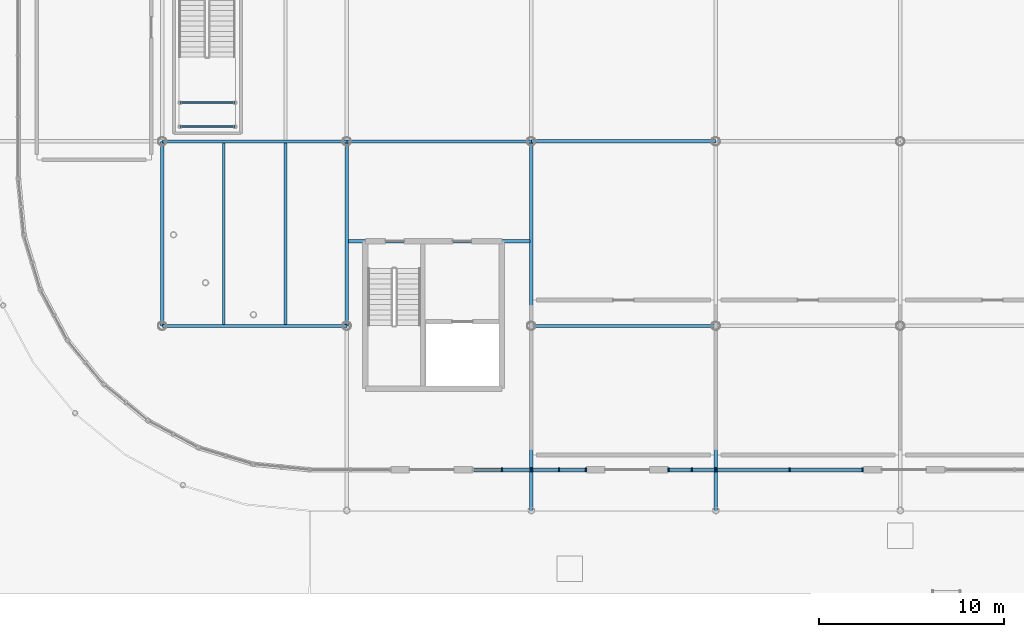
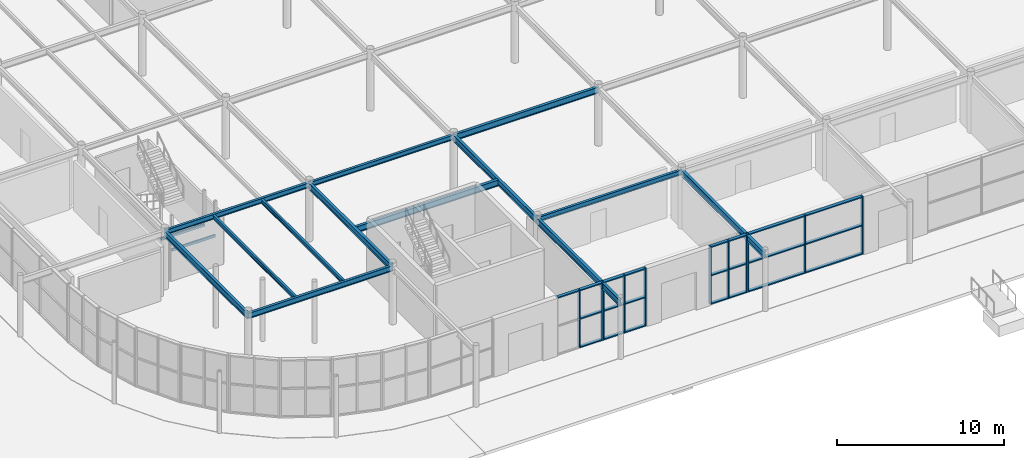
# One storey, part 53 of 119: 33 members, 15 beams, 4 elements without a shape of their own.
"""IFC4 building model written with IfcOpenShell, lengths in metres."""

import ifcopenshell
import ifcopenshell.guid

model = None  # the IFC model being written
_history = None  # IfcOwnerHistory: only IFC2X3 demands one
_inside = {}  # id of a spatial element -> (the spatial element, [elements in it])
_under = {}  # id of a project, library or spatial element -> (it, [spatial elements below it])
_declared = {}  # id of a project -> (the project, [libraries it declares])
_typed = {}  # id of a type object -> (the type object, [elements of that type])
_made_of = {}  # id of a material, layer set ... -> (it, [elements and type objects made of it])


def new_model(schema):
    """Start an empty IFC model of exactly this schema.

    Asked for "IFC4X3", IfcOpenShell would pick the latest addendum, in which some entities
    have other attributes; the version numbers below select the first issue.
    IFC2X3 requires an IfcOwnerHistory on every rooted entity: one is made here for all.
    """
    global model, _history
    if schema == "IFC4X3":
        model = ifcopenshell.file(schema_version=(4, 3, 0, 0))
    else:
        model = ifcopenshell.file(schema=schema)
    _inside.clear()
    _under.clear()
    _declared.clear()
    _typed.clear()
    _made_of.clear()
    _history = None
    if model.schema == "IFC2X3":
        org = make("IfcOrganization", Name="unknown")
        user = make(
            "IfcPersonAndOrganization",
            ThePerson=make("IfcPerson", FamilyName="unknown"),
            TheOrganization=org,
        )
        app = make(
            "IfcApplication",
            ApplicationDeveloper=org,
            Version="unknown",
            ApplicationFullName="unknown",
            ApplicationIdentifier="unknown",
        )
        _history = make(
            "IfcOwnerHistory",
            OwningUser=user,
            OwningApplication=app,
            ChangeAction="ADDED",
            CreationDate=0,
        )
    return model


def make(cls, **values):
    """One entity of the class cls with the attributes given. An attribute that is None is left unset."""
    return model.create_entity(
        cls, **{name: value for name, value in values.items() if value is not None}
    )


def rooted(cls, **values):
    """An entity with a GlobalId (a new one), such as an element, a storey or a relation."""
    return make(cls, GlobalId=ifcopenshell.guid.new(), OwnerHistory=_history, **values)


def si_unit(unit_type, name, prefix=None):
    """IfcSIUnit, for example si_unit("LENGTHUNIT", "METRE", prefix="MILLI")."""
    return make("IfcSIUnit", UnitType=unit_type, Prefix=prefix, Name=name)


def derived_unit(unit_type, elements):
    """IfcDerivedUnit: a product of units, each with its exponent."""
    return make(
        "IfcDerivedUnit",
        Elements=[
            make("IfcDerivedUnitElement", Unit=unit, Exponent=power)
            for unit, power in elements
        ],
        UnitType=unit_type,
    )


def assignment(units):
    """IfcUnitAssignment: the units of a project."""
    return None if units is None else make("IfcUnitAssignment", Units=units)


def point(xyz):
    """IfcCartesianPoint."""
    return None if xyz is None else make("IfcCartesianPoint", Coordinates=xyz)


def direction(xyz):
    """IfcDirection."""
    return None if xyz is None else make("IfcDirection", DirectionRatios=xyz)


def frame(location, z_axis=None, x_axis=None):
    """IfcAxis2Placement3D, a coordinate frame: its origin and axes. An axis left out is left unset."""
    return make(
        "IfcAxis2Placement3D",
        Location=point(location),
        Axis=direction(z_axis),
        RefDirection=direction(x_axis),
    )


def frame_2d(location, x_axis=None):
    """IfcAxis2Placement2D, a coordinate frame in the plane: its origin and x axis."""
    return make(
        "IfcAxis2Placement2D", Location=point(location), RefDirection=direction(x_axis)
    )


def origin():
    """The frame at (0, 0, 0) with its axes left unset."""
    return frame((0.0, 0.0, 0.0))


def origin_2d_with_axis():
    """The frame at (0, 0) in the plane with the x axis (1, 0) written out."""
    return frame_2d((0.0, 0.0), x_axis=(1.0, 0.0))


def place(relative_to, where):
    """IfcLocalPlacement: puts the frame where relative to a parent placement (None: the world)."""
    return make(
        "IfcLocalPlacement", PlacementRelTo=relative_to, RelativePlacement=where
    )


def context(
    kind, dimensions, precision=None, world=None, true_north=None, identifier=None
):
    """IfcGeometricRepresentationContext, for example the 3D "Model" context."""
    return make(
        "IfcGeometricRepresentationContext",
        ContextIdentifier=identifier,
        ContextType=kind,
        CoordinateSpaceDimension=dimensions,
        Precision=precision,
        WorldCoordinateSystem=world,
        TrueNorth=true_north,
    )


def subcontext(parent, identifier, kind, view, scale=None):
    """IfcGeometricRepresentationSubContext, for example "Body" below "Model"."""
    return make(
        "IfcGeometricRepresentationSubContext",
        ContextIdentifier=identifier,
        ContextType=kind,
        ParentContext=parent,
        TargetScale=scale,
        TargetView=view,
    )


def project(units=None, contexts=None):
    """IfcProject with its units and contexts."""
    return rooted(
        "IfcProject",
        Name="project",
        RepresentationContexts=contexts,
        UnitsInContext=assignment(units),
    )


def spatial(cls, under=None, at=None, **own):
    """A site, building, storey or space (cls), placed at a placement, below another one or the project."""
    s = rooted(cls, ObjectPlacement=at, **own)
    if under is not None:
        _under.setdefault(under.id(), (under, []))[1].append(s)
    return s


def profile(cls, at=None, kind="AREA", **sizes):
    """A parametric profile (cls). Its sizes go by their IFC names, for example OverallWidth=200.0."""
    return make(cls, ProfileType=kind, Position=at, **sizes)


def rectangle(**sizes):
    """IfcRectangleProfileDef."""
    return profile("IfcRectangleProfileDef", **sizes)


def hollow_rectangle(**sizes):
    """IfcRectangleHollowProfileDef."""
    return profile("IfcRectangleHollowProfileDef", **sizes)


def i_section(**sizes):
    """IfcIShapeProfileDef."""
    return profile("IfcIShapeProfileDef", **sizes)


def extrude(swept, where, along, depth):
    """IfcExtrudedAreaSolid: the profile swept, set in the frame where, extruded along a direction by depth."""
    return make(
        "IfcExtrudedAreaSolid",
        SweptArea=swept,
        Position=where,
        ExtrudedDirection=direction(along),
        Depth=depth,
    )


def shape(context_of_items, identifier, shape_type, items):
    """IfcShapeRepresentation: the items that make up one representation, for example the "Body"."""
    return make(
        "IfcShapeRepresentation",
        ContextOfItems=context_of_items,
        RepresentationIdentifier=identifier,
        RepresentationType=shape_type,
        Items=items,
    )


def material(Name=None, Category=None):
    """IfcMaterial."""
    return make("IfcMaterial", Name=Name, Category=Category)


def material_profile(
    of_material, cross_section, Name=None, Category=None, Priority=None
):
    """IfcMaterialProfile: a cross section and its material."""
    return make(
        "IfcMaterialProfile",
        Name=Name,
        Material=of_material,
        Profile=cross_section,
        Priority=Priority,
        Category=Category,
    )


def profile_set(profiles, Name=None, composite=None):
    """IfcMaterialProfileSet."""
    return make(
        "IfcMaterialProfileSet",
        Name=Name,
        MaterialProfiles=profiles,
        CompositeProfile=composite,
    )


def made_of(thing, what):
    """Note that an element or type object is made of a material, layer set ...; save() writes the relation."""
    if what is not None:
        _made_of.setdefault(what.id(), (what, []))[1].append(thing)
    return thing


def type_object(cls, material=None, **own):
    """A type object (cls), such as IfcWallType, which elements share."""
    return made_of(rooted(cls, **own), material)


def element(
    cls,
    number,
    at=None,
    inside=None,
    cuts=None,
    type_object=None,
    material=None,
    context=None,
    identifier="Body",
    shape_type=None,
    held_by="IfcProductDefinitionShape",
    body=None,
    shapes=None,
    **own,
):
    """One element of the class cls, such as IfcWall. Its Tag is "e" and its number.

    at: its placement. inside: the storey or other place that contains it. cuts: it is an
    opening in that element (IfcRelVoidsElement). A single representation is given by context,
    identifier, shape_type and body (its items); several are given by shapes. held_by: the class
    of the entity that holds the representations. save() writes the other relations.
    """
    e = rooted(cls, Tag="e%d" % number, ObjectPlacement=at, **own)
    if body is not None:
        shapes = [shape(context, identifier, shape_type, body)]
    if shapes is not None:
        e.Representation = make(held_by, Representations=shapes)
    if inside is not None:
        _inside.setdefault(inside.id(), (inside, []))[1].append(e)
    if cuts is not None:
        rooted(
            "IfcRelVoidsElement", RelatingBuildingElement=cuts, RelatedOpeningElement=e
        )
    if type_object is not None:
        _typed.setdefault(type_object.id(), (type_object, []))[1].append(e)
    return made_of(e, material)


def aggregate(whole, parts):
    """IfcRelAggregates: a whole, such as a stair, and the parts it consists of."""
    return rooted("IfcRelAggregates", RelatingObject=whole, RelatedObjects=parts)


def save(model, path):
    """Write the relations noted so far, then the file.

    IfcRelAggregates (storeys below a building ...), IfcRelContainedInSpatialStructure (elements
    in a storey), IfcRelDefinesByType, IfcRelAssociatesMaterial and IfcRelDeclares: one each for
    every whole, place, type object, material and project.
    """
    for whole, parts in _under.values():
        aggregate(whole, parts)
    for where, things in _inside.values():
        rooted(
            "IfcRelContainedInSpatialStructure",
            RelatedElements=things,
            RelatingStructure=where,
        )
    for kind, things in _typed.values():
        rooted("IfcRelDefinesByType", RelatedObjects=things, RelatingType=kind)
    for what, things in _made_of.values():
        rooted("IfcRelAssociatesMaterial", RelatedObjects=things, RelatingMaterial=what)
    for by, libraries in _declared.values():
        rooted("IfcRelDeclares", RelatingContext=by, RelatedDefinitions=libraries)
    model.write(path)


model = new_model("IFC4")

# Units and contexts
model_context = context("Model", 3, precision=1e-05, world=origin(), true_north=direction((0.0, 1.0)))
body_context = subcontext(model_context, "Body", "Model", "MODEL_VIEW")
ifc_project = project(units=[si_unit("LENGTHUNIT", "METRE"), si_unit("AREAUNIT", "SQUARE_METRE"), si_unit("VOLUMEUNIT", "CUBIC_METRE"), si_unit("PLANEANGLEUNIT", "RADIAN"), si_unit("MASSUNIT", "GRAM", prefix="KILO"), derived_unit("THERMALTRANSMITTANCEUNIT", [(si_unit("POWERUNIT", "WATT"), 1), (si_unit("LENGTHUNIT", "METRE"), -2), (si_unit("THERMODYNAMICTEMPERATUREUNIT", "KELVIN"), -1)])], contexts=[model_context])

# Site, building, storey
site_placement = place(None, origin())
site = spatial("IfcSite", under=ifc_project, at=site_placement, CompositionType="ELEMENT")
building_placement = place(site_placement, origin())
building = spatial("IfcBuilding", under=site, at=building_placement, Name="Cinnabar Yard Market Hall", CompositionType="ELEMENT")
storey_placement = place(building_placement, origin())
storey = spatial("IfcBuildingStorey", under=building, at=storey_placement, Name="L00", CompositionType="ELEMENT", Elevation=0.0)

# Beams
ifc_material_1 = material(Name="Steel Grade 300 (300 MPa)", Category="steel")
ifc_material_profile_1 = material_profile(ifc_material_1, i_section(OverallWidth=0.18994140625, OverallDepth=0.453857421875, WebThickness=0.008544921875, FlangeThickness=0.0126953125, FilletRadius=0.011474609375, at=origin_2d_with_axis()), Name="460UB67.1")
ifc_profile_set_1 = profile_set([ifc_material_profile_1], Name="Steel Grade 300 (300 MPa)")
beam_type_1 = type_object("IfcBeamType", Name="BM-B05", PredefinedType="BEAM", material=ifc_profile_set_1)
beam_1_placement = place(storey_placement, frame((86.080078125, 28.60009765625, 4.01318359375), z_axis=(1.0, 0.0, 0.0), x_axis=(0.0, 1.0, 0.0)))
element("IfcBeam", 1, at=beam_1_placement, inside=storey, type_object=beam_type_1, Name="L00 Core Trimmer Girder 00135", PredefinedType="BEAM", context=body_context, shape_type="SweptSolid", body=[
    extrude(i_section(OverallWidth=0.18994140625, OverallDepth=0.453857421875, WebThickness=0.008544921875, FlangeThickness=0.0126953125, FilletRadius=0.011474609375, at=origin_2d_with_axis()), origin(), (0.0, 0.0, 1.0), 9.83984375),
])
for number, where, z_axis, x_axis, name in (
    (2, (76.0, 24.0, 4.01318359375), (0.0, 1.0, 0.0), (-1.0, 0.0, 0.0), "L00 Gallery Girder Y 00202"),
    (3, (86.0, 24.0, 4.01318359375), (0.0, 1.0, 0.0), (-1.0, 0.0, 0.0), "L00 Gallery Girder Y 00213"),
    (4, (96.0, 24.0, 4.01318359375), (0.0, 1.0, 0.0), (-1.0, 0.0, 0.0), "L00 Gallery Girder Y 00217"),
):
    element("IfcBeam", number, at=place(storey_placement, frame(where, z_axis=z_axis, x_axis=x_axis)), inside=storey, type_object=beam_type_1, Name=name, PredefinedType="BEAM", context=body_context, shape_type="SweptSolid", body=[
        extrude(i_section(OverallWidth=0.18994140625, OverallDepth=0.453857421875, WebThickness=0.008544921875, FlangeThickness=0.0126953125, FilletRadius=0.011474609375, at=origin_2d_with_axis()), origin(), (0.0, 0.0, 1.0), 10.0),
    ])
ifc_material_profile_2 = material_profile(ifc_material_1, i_section(OverallWidth=0.18994140625, OverallDepth=0.453857421875, WebThickness=0.008544921875, FlangeThickness=0.0126953125, FilletRadius=0.011474609375, at=origin_2d_with_axis()), Name="460UB67.1")
ifc_profile_set_2 = profile_set([ifc_material_profile_2], Name="Steel Grade 300 (300 MPa)")
beam_type_2 = type_object("IfcBeamType", Name="BM-B05E", PredefinedType="BEAM", material=ifc_profile_set_2)
for number, where, z_axis, x_axis, name in (
    (5, (96.0, 24.0, 4.01318359375), (0.0, -1.0, 0.0), (1.0, 0.0, 0.0), "L00 Gallery South Tie 00184"),
    (6, (106.0, 24.0, 4.01318359375), (0.0, -1.0, 0.0), (1.0, 0.0, 0.0), "L00 Gallery South Tie 00186"),
):
    element("IfcBeam", number, at=place(storey_placement, frame(where, z_axis=z_axis, x_axis=x_axis)), inside=storey, type_object=beam_type_2, Name=name, PredefinedType="BEAM", context=body_context, shape_type="SweptSolid", body=[
        extrude(i_section(OverallWidth=0.18994140625, OverallDepth=0.453857421875, WebThickness=0.008544921875, FlangeThickness=0.0126953125, FilletRadius=0.011474609375, at=origin_2d_with_axis()), origin(), (0.0, 0.0, 1.0), 10.0),
    ])
ifc_material_profile_3 = material_profile(ifc_material_1, i_section(OverallWidth=0.177978515625, OverallDepth=0.402587890625, WebThickness=0.007568359375, FlangeThickness=0.010986328125, FilletRadius=0.011474609375, at=origin_2d_with_axis()), Name="410UB53.7")
ifc_profile_set_3 = profile_set([ifc_material_profile_3], Name="Steel Grade 300 (300 MPa)")
beam_type_3 = type_object("IfcBeamType", Name="BM-B09", PredefinedType="BEAM", material=ifc_profile_set_3)
beam_2_placement = place(storey_placement, frame((76.0, 24.0, 4.038818359375), z_axis=(1.0, 0.0, 0.0), x_axis=(0.0, 1.0, 0.0)))
element("IfcBeam", 7, at=beam_2_placement, inside=storey, type_object=beam_type_3, Name="L00 Gallery Girder X 00146", PredefinedType="BEAM", context=body_context, shape_type="SweptSolid", body=[
    extrude(i_section(OverallWidth=0.177978515625, OverallDepth=0.402587890625, WebThickness=0.007568359375, FlangeThickness=0.010986328125, FilletRadius=0.011474609375, at=origin_2d_with_axis()), origin(), (0.0, 0.0, 1.0), 10.0),
])
ifc_material_profile_4 = material_profile(ifc_material_1, i_section(OverallWidth=0.1708984375, OverallDepth=0.355712890625, WebThickness=0.00732421875, FlangeThickness=0.011474609375, FilletRadius=0.011474609375, at=origin_2d_with_axis()), Name="360UB50.7")
ifc_profile_set_4 = profile_set([ifc_material_profile_4], Name="Steel Grade 300 (300 MPa)")
beam_type_4 = type_object("IfcBeamType", Name="BM-B10", PredefinedType="BEAM", material=ifc_profile_set_4)
beam_3_placement = place(storey_placement, frame((76.0, 34.0, 4.062255859375), z_axis=(1.0, 0.0, 0.0), x_axis=(0.0, 1.0, 0.0)))
element("IfcBeam", 8, at=beam_3_placement, inside=storey, type_object=beam_type_4, Name="L00 Gallery Girder X 00147", PredefinedType="BEAM", context=body_context, shape_type="SweptSolid", body=[
    extrude(i_section(OverallWidth=0.1708984375, OverallDepth=0.355712890625, WebThickness=0.00732421875, FlangeThickness=0.011474609375, FilletRadius=0.011474609375, at=origin_2d_with_axis()), origin(), (0.0, 0.0, 1.0), 10.0),
])
ifc_material_profile_5 = material_profile(ifc_material_1, i_section(OverallWidth=0.1708984375, OverallDepth=0.35205078125, WebThickness=0.0068359375, FlangeThickness=0.009765625, FilletRadius=0.011474609375, at=origin_2d_with_axis()), Name="360UB44.7")
ifc_profile_set_5 = profile_set([ifc_material_profile_5], Name="Steel Grade 300 (300 MPa)")
beam_type_5 = type_object("IfcBeamType", Name="BM-B11", PredefinedType="BEAM", material=ifc_profile_set_5)
for number, where, z_axis, x_axis, name in (
    (9, (86.0, 34.0, 4.06396484375), (1.0, 0.0, 0.0), (0.0, 1.0, 0.0), "L00 Gallery Girder X 00151"),
    (10, (96.0, 24.0, 4.06396484375), (1.0, 0.0, 0.0), (0.0, 1.0, 0.0), "L00 Gallery Girder X 00154"),
):
    element("IfcBeam", number, at=place(storey_placement, frame(where, z_axis=z_axis, x_axis=x_axis)), inside=storey, type_object=beam_type_5, Name=name, PredefinedType="BEAM", context=body_context, shape_type="SweptSolid", body=[
        extrude(i_section(OverallWidth=0.1708984375, OverallDepth=0.35205078125, WebThickness=0.0068359375, FlangeThickness=0.009765625, FilletRadius=0.011474609375, at=origin_2d_with_axis()), origin(), (0.0, 0.0, 1.0), 10.0),
    ])
ifc_material_profile_6 = material_profile(ifc_material_1, i_section(OverallWidth=0.18994140625, OverallDepth=0.453857421875, WebThickness=0.008544921875, FlangeThickness=0.0126953125, FilletRadius=0.011474609375, at=origin_2d_with_axis()), Name="460UB67.1")
ifc_profile_set_6 = profile_set([ifc_material_profile_6], Name="Steel Grade 300 (300 MPa)")
beam_type_6 = type_object("IfcBeamType", Name="BM-B14", PredefinedType="BEAM", material=ifc_profile_set_6)
beam_4_placement = place(storey_placement, frame((96.0, 34.0, 4.01318359375), z_axis=(1.0, 0.0, 0.0), x_axis=(0.0, 1.0, 0.0)))
element("IfcBeam", 11, at=beam_4_placement, inside=storey, type_object=beam_type_6, Name="L00 Gallery Girder X 00155", PredefinedType="BEAM", context=body_context, shape_type="SweptSolid", body=[
    extrude(i_section(OverallWidth=0.18994140625, OverallDepth=0.453857421875, WebThickness=0.008544921875, FlangeThickness=0.0126953125, FilletRadius=0.011474609375, at=origin_2d_with_axis()), origin(), (0.0, 0.0, 1.0), 10.0),
])
ifc_material_profile_7 = material_profile(ifc_material_1, i_section(OverallWidth=0.14892578125, OverallDepth=0.298095703125, WebThickness=0.005615234375, FlangeThickness=0.008056640625, FilletRadius=0.0087890625, at=origin_2d_with_axis()), Name="310UB32.0")
ifc_profile_set_7 = profile_set([ifc_material_profile_7], Name="Steel Grade 300 (300 MPa)")
beam_type_7 = type_object("IfcBeamType", Name="BM-J02", PredefinedType="JOIST", material=ifc_profile_set_7)
for number, where, z_axis, x_axis, name in (
    (12, (79.330078125, 24.074951171875, 4.091064453125), (0.0, 1.0, 0.0), (-1.0, 0.0, 0.0), "L00 Gallery Joist 00203"),
    (13, (82.669921875, 24.074951171875, 4.091064453125), (0.0, 1.0, 0.0), (-1.0, 0.0, 0.0), "L00 Gallery Joist 00204"),
):
    element("IfcBeam", number, at=place(storey_placement, frame(where, z_axis=z_axis, x_axis=x_axis)), inside=storey, type_object=beam_type_7, Name=name, PredefinedType="JOIST", context=body_context, shape_type="SweptSolid", body=[
        extrude(i_section(OverallWidth=0.14892578125, OverallDepth=0.298095703125, WebThickness=0.005615234375, FlangeThickness=0.008056640625, FilletRadius=0.0087890625, at=origin_2d_with_axis()), origin(), (0.0, 0.0, 1.0), 9.85009765625),
    ])
ifc_material_2 = material(Name="Cold-formed steel C350L0", Category="steel")
ifc_material_profile_8 = material_profile(ifc_material_2, hollow_rectangle(XDim=0.10009765625, YDim=0.199951171875, WallThickness=0.006103515625, InnerFilletRadius=0.006103515625, OuterFilletRadius=0.011962890625, at=origin_2d_with_axis()), Name="200x100x6.0RHS")
ifc_profile_set_8 = profile_set([ifc_material_profile_8], Name="Cold-formed steel C350L0")
beam_type_8 = type_object("IfcBeamType", Name="BM-LN01", PredefinedType="LINTEL", material=ifc_profile_set_8)
for number, where, z_axis, x_axis, name in (
    (14, (76.949951171875, 34.800048828125, 1.949951171875), (1.0, 0.0, 0.0), (0.0, 1.0, 0.0), "Feature Stair Landing Beam S ST-F1 L00"),
    (15, (76.949951171875, 36.10009765625, 1.949951171875), (1.0, 0.0, 0.0), (0.0, 1.0, 0.0), "Feature Stair Landing Beam N ST-F1 L00"),
):
    element("IfcBeam", number, at=place(storey_placement, frame(where, z_axis=z_axis, x_axis=x_axis)), inside=storey, type_object=beam_type_8, Name=name, PredefinedType="LINTEL", context=body_context, shape_type="SweptSolid", body=[
        extrude(hollow_rectangle(XDim=0.10009765625, YDim=0.199951171875, WallThickness=0.006103515625, InnerFilletRadius=0.006103515625, OuterFilletRadius=0.011962890625, at=origin_2d_with_axis()), origin(), (0.0, 0.0, 1.0), 3.0),
    ])

# Curtain wall, members
ifc_material_3 = material(Name="Anodised bronze aluminium and low-E glass", Category="aluminium")
curtain_wall_type_1 = type_object("IfcCurtainWallType", Name="CW-CWH032x42", PredefinedType="NOTDEFINED", material=ifc_material_3)
curtain_wall_1_placement = place(storey_placement, origin())
curtain_wall_1 = element("IfcCurtainWall", 16, at=curtain_wall_1_placement, inside=storey, type_object=curtain_wall_type_1, Name="Market Hall South Ground Glazing B1B", PredefinedType="NOTDEFINED")
ifc_material_4 = material(Name="Anodised bronze aluminium", Category="aluminium")
ifc_material_profile_9 = material_profile(ifc_material_4, rectangle(XDim=0.219970703125, YDim=0.080078125, at=origin_2d_with_axis()), Name="MUL-CWH")
ifc_profile_set_9 = profile_set([ifc_material_profile_9], Name="Anodised bronze aluminium")
member_type_1 = type_object("IfcMemberType", Name="CWM-CWH", PredefinedType="MULLION", material=ifc_profile_set_9)
member_1_placement = place(storey_placement, frame((94.39990234375, 16.199951171875, 0.0), z_axis=(0.0, 0.0, 1.0), x_axis=(0.0, 1.0, 0.0)))
member_1 = element("IfcMember", 17, at=member_1_placement, type_object=member_type_1, Name="CWH032x42 mullion 2", PredefinedType="MULLION", context=body_context, shape_type="SweptSolid", body=[
    extrude(rectangle(XDim=0.219970703125, YDim=0.080078125, at=origin_2d_with_axis()), origin(), (0.0, 0.0, 1.0), 4.239990234375),
])
member_2_placement = place(storey_placement, frame((95.9599609375, 16.199951171875, 0.0), z_axis=(0.0, 0.0, 1.0), x_axis=(0.0, 1.0, 0.0)))
member_2 = element("IfcMember", 18, at=member_2_placement, type_object=member_type_1, Name="CWH032x42 mullion 3", PredefinedType="MULLION", context=body_context, shape_type="SweptSolid", body=[
    extrude(rectangle(XDim=0.219970703125, YDim=0.080078125, at=origin_2d_with_axis()), origin(), (0.0, 0.0, 1.0), 4.239990234375),
])

curtain_wall_type_2 = type_object("IfcCurtainWallType", Name="CW-CWH030x42", PredefinedType="NOTDEFINED", material=ifc_material_3)
curtain_wall_2_placement = place(storey_placement, origin())
curtain_wall_2 = element("IfcCurtainWall", 19, at=curtain_wall_2_placement, inside=storey, type_object=curtain_wall_type_2, Name="Market Hall South Ground Glazing B2A", PredefinedType="NOTDEFINED")
member_3_placement = place(storey_placement, frame((96.0400390625, 16.199951171875, 0.0), z_axis=(0.0, 0.0, 1.0), x_axis=(0.0, 1.0, 0.0)))
member_3 = element("IfcMember", 20, at=member_3_placement, type_object=member_type_1, Name="CWH030x42 mullion 1", PredefinedType="MULLION", context=body_context, shape_type="SweptSolid", body=[
    extrude(rectangle(XDim=0.219970703125, YDim=0.080078125, at=origin_2d_with_axis()), origin(), (0.0, 0.0, 1.0), 4.239990234375),
])
member_4_placement = place(storey_placement, frame((97.5, 16.199951171875, 0.0), z_axis=(0.0, 0.0, 1.0), x_axis=(0.0, 1.0, 0.0)))
member_4 = element("IfcMember", 21, at=member_4_placement, type_object=member_type_1, Name="CWH030x42 mullion 2", PredefinedType="MULLION", context=body_context, shape_type="SweptSolid", body=[
    extrude(rectangle(XDim=0.219970703125, YDim=0.080078125, at=origin_2d_with_axis()), origin(), (0.0, 0.0, 1.0), 4.239990234375),
])
member_5_placement = place(storey_placement, frame((98.9599609375, 16.199951171875, 0.0), z_axis=(0.0, 0.0, 1.0), x_axis=(0.0, 1.0, 0.0)))
member_5 = element("IfcMember", 22, at=member_5_placement, type_object=member_type_1, Name="CWH030x42 mullion 3", PredefinedType="MULLION", context=body_context, shape_type="SweptSolid", body=[
    extrude(rectangle(XDim=0.219970703125, YDim=0.080078125, at=origin_2d_with_axis()), origin(), (0.0, 0.0, 1.0), 4.239990234375),
])

curtain_wall_type_3 = type_object("IfcCurtainWallType", Name="CW-CWH026x42", PredefinedType="NOTDEFINED", material=ifc_material_3)
curtain_wall_3_placement = place(storey_placement, origin())
curtain_wall_3 = element("IfcCurtainWall", 23, at=curtain_wall_3_placement, inside=storey, type_object=curtain_wall_type_3, Name="Market Hall South Ground Glazing B2B", PredefinedType="NOTDEFINED")
member_6_placement = place(storey_placement, frame((103.43994140625, 16.199951171875, 0.0), z_axis=(0.0, 0.0, 1.0), x_axis=(0.0, 1.0, 0.0)))
member_6 = element("IfcMember", 24, at=member_6_placement, type_object=member_type_1, Name="CWH026x42 mullion 1", PredefinedType="MULLION", context=body_context, shape_type="SweptSolid", body=[
    extrude(rectangle(XDim=0.219970703125, YDim=0.080078125, at=origin_2d_with_axis()), origin(), (0.0, 0.0, 1.0), 4.239990234375),
])
member_7_placement = place(storey_placement, frame((104.699951171875, 16.199951171875, 0.0), z_axis=(0.0, 0.0, 1.0), x_axis=(0.0, 1.0, 0.0)))
member_7 = element("IfcMember", 25, at=member_7_placement, type_object=member_type_1, Name="CWH026x42 mullion 2", PredefinedType="MULLION", context=body_context, shape_type="SweptSolid", body=[
    extrude(rectangle(XDim=0.219970703125, YDim=0.080078125, at=origin_2d_with_axis()), origin(), (0.0, 0.0, 1.0), 4.239990234375),
])
member_8_placement = place(storey_placement, frame((105.9599609375, 16.199951171875, 0.0), z_axis=(0.0, 0.0, 1.0), x_axis=(0.0, 1.0, 0.0)))
member_8 = element("IfcMember", 26, at=member_8_placement, type_object=member_type_1, Name="CWH026x42 mullion 3", PredefinedType="MULLION", context=body_context, shape_type="SweptSolid", body=[
    extrude(rectangle(XDim=0.219970703125, YDim=0.080078125, at=origin_2d_with_axis()), origin(), (0.0, 0.0, 1.0), 4.239990234375),
])

curtain_wall_type_4 = type_object("IfcCurtainWallType", Name="CW-CWH080x42", PredefinedType="NOTDEFINED", material=ifc_material_3)
curtain_wall_4_placement = place(storey_placement, origin())
curtain_wall_4 = element("IfcCurtainWall", 27, at=curtain_wall_4_placement, inside=storey, type_object=curtain_wall_type_4, Name="Market Hall South Ground Glazing B3", PredefinedType="NOTDEFINED")
member_9_placement = place(storey_placement, frame((106.0400390625, 16.199951171875, 0.0), z_axis=(0.0, 0.0, 1.0), x_axis=(0.0, 1.0, 0.0)))
member_9 = element("IfcMember", 28, at=member_9_placement, type_object=member_type_1, Name="CWH080x42 mullion 1", PredefinedType="MULLION", context=body_context, shape_type="SweptSolid", body=[
    extrude(rectangle(XDim=0.219970703125, YDim=0.080078125, at=origin_2d_with_axis()), origin(), (0.0, 0.0, 1.0), 4.239990234375),
])
member_10_placement = place(storey_placement, frame((110.0, 16.199951171875, 0.0), z_axis=(0.0, 0.0, 1.0), x_axis=(0.0, 1.0, 0.0)))
member_10 = element("IfcMember", 29, at=member_10_placement, type_object=member_type_1, Name="CWH080x42 mullion 2", PredefinedType="MULLION", context=body_context, shape_type="SweptSolid", body=[
    extrude(rectangle(XDim=0.219970703125, YDim=0.080078125, at=origin_2d_with_axis()), origin(), (0.0, 0.0, 1.0), 4.239990234375),
])
member_11_placement = place(storey_placement, frame((113.9599609375, 16.199951171875, 0.0), z_axis=(0.0, 0.0, 1.0), x_axis=(0.0, 1.0, 0.0)))
member_11 = element("IfcMember", 30, at=member_11_placement, type_object=member_type_1, Name="CWH080x42 mullion 3", PredefinedType="MULLION", context=body_context, shape_type="SweptSolid", body=[
    extrude(rectangle(XDim=0.219970703125, YDim=0.080078125, at=origin_2d_with_axis()), origin(), (0.0, 0.0, 1.0), 4.239990234375),
])

# Member
ifc_material_profile_10 = material_profile(ifc_material_4, rectangle(XDim=0.219970703125, YDim=0.080078125, at=origin_2d_with_axis()), Name="TRN-CWH")
ifc_profile_set_10 = profile_set([ifc_material_profile_10], Name="Anodised bronze aluminium")
member_type_2 = type_object("IfcMemberType", Name="CWT-CWH", PredefinedType="USERDEFINED", material=ifc_profile_set_10)
member_12_placement = place(storey_placement, frame((92.8798828125, 16.199951171875, 4.199951171875), z_axis=(1.0, 0.0, 0.0), x_axis=(0.0, 1.0, 0.0)))
member_12 = element("IfcMember", 31, at=member_12_placement, type_object=member_type_2, Name="CWH032x42 transom 1.3", ObjectType="TRANSOM", PredefinedType="USERDEFINED", context=body_context, shape_type="SweptSolid", body=[
    extrude(rectangle(XDim=0.219970703125, YDim=0.080078125, at=origin_2d_with_axis()), origin(), (0.0, 0.0, 1.0), 1.480224609375),
])

member_13_placement = place(storey_placement, frame((94.43994140625, 16.199951171875, 0.0400390625), z_axis=(1.0, 0.0, 0.0), x_axis=(0.0, 1.0, 0.0)))
member_13 = element("IfcMember", 32, at=member_13_placement, type_object=member_type_2, Name="CWH032x42 transom 2.1", ObjectType="TRANSOM", PredefinedType="USERDEFINED", context=body_context, shape_type="SweptSolid", body=[
    extrude(rectangle(XDim=0.219970703125, YDim=0.080078125, at=origin_2d_with_axis()), origin(), (0.0, 0.0, 1.0), 1.47998046875),
])

member_14_placement = place(storey_placement, frame((94.43994140625, 16.199951171875, 2.1201171875), z_axis=(1.0, 0.0, 0.0), x_axis=(0.0, 1.0, 0.0)))
member_14 = element("IfcMember", 33, at=member_14_placement, type_object=member_type_2, Name="CWH032x42 transom 2.2", ObjectType="TRANSOM", PredefinedType="USERDEFINED", context=body_context, shape_type="SweptSolid", body=[
    extrude(rectangle(XDim=0.219970703125, YDim=0.080078125, at=origin_2d_with_axis()), origin(), (0.0, 0.0, 1.0), 1.47998046875),
])

member_15_placement = place(storey_placement, frame((94.43994140625, 16.199951171875, 4.199951171875), z_axis=(1.0, 0.0, 0.0), x_axis=(0.0, 1.0, 0.0)))
member_15 = element("IfcMember", 34, at=member_15_placement, type_object=member_type_2, Name="CWH032x42 transom 2.3", ObjectType="TRANSOM", PredefinedType="USERDEFINED", context=body_context, shape_type="SweptSolid", body=[
    extrude(rectangle(XDim=0.219970703125, YDim=0.080078125, at=origin_2d_with_axis()), origin(), (0.0, 0.0, 1.0), 1.47998046875),
])

aggregate(curtain_wall_1, [member_1, member_2, member_12, member_13, member_14, member_15])

member_16_placement = place(storey_placement, frame((96.080078125, 16.199951171875, 0.0400390625), z_axis=(1.0, 0.0, 0.0), x_axis=(0.0, 1.0, 0.0)))
member_16 = element("IfcMember", 35, at=member_16_placement, type_object=member_type_2, Name="CWH030x42 transom 1.1", ObjectType="TRANSOM", PredefinedType="USERDEFINED", context=body_context, shape_type="SweptSolid", body=[
    extrude(rectangle(XDim=0.219970703125, YDim=0.080078125, at=origin_2d_with_axis()), origin(), (0.0, 0.0, 1.0), 1.3798828125),
])

member_17_placement = place(storey_placement, frame((96.080078125, 16.199951171875, 2.1201171875), z_axis=(1.0, 0.0, 0.0), x_axis=(0.0, 1.0, 0.0)))
member_17 = element("IfcMember", 36, at=member_17_placement, type_object=member_type_2, Name="CWH030x42 transom 1.2", ObjectType="TRANSOM", PredefinedType="USERDEFINED", context=body_context, shape_type="SweptSolid", body=[
    extrude(rectangle(XDim=0.219970703125, YDim=0.080078125, at=origin_2d_with_axis()), origin(), (0.0, 0.0, 1.0), 1.3798828125),
])

member_18_placement = place(storey_placement, frame((96.080078125, 16.199951171875, 4.199951171875), z_axis=(1.0, 0.0, 0.0), x_axis=(0.0, 1.0, 0.0)))
member_18 = element("IfcMember", 37, at=member_18_placement, type_object=member_type_2, Name="CWH030x42 transom 1.3", ObjectType="TRANSOM", PredefinedType="USERDEFINED", context=body_context, shape_type="SweptSolid", body=[
    extrude(rectangle(XDim=0.219970703125, YDim=0.080078125, at=origin_2d_with_axis()), origin(), (0.0, 0.0, 1.0), 1.3798828125),
])

member_19_placement = place(storey_placement, frame((97.5400390625, 16.199951171875, 0.0400390625), z_axis=(1.0, 0.0, 0.0), x_axis=(0.0, 1.0, 0.0)))
member_19 = element("IfcMember", 38, at=member_19_placement, type_object=member_type_2, Name="CWH030x42 transom 2.1", ObjectType="TRANSOM", PredefinedType="USERDEFINED", context=body_context, shape_type="SweptSolid", body=[
    extrude(rectangle(XDim=0.219970703125, YDim=0.080078125, at=origin_2d_with_axis()), origin(), (0.0, 0.0, 1.0), 1.3798828125),
])

member_20_placement = place(storey_placement, frame((97.5400390625, 16.199951171875, 2.1201171875), z_axis=(1.0, 0.0, 0.0), x_axis=(0.0, 1.0, 0.0)))
member_20 = element("IfcMember", 39, at=member_20_placement, type_object=member_type_2, Name="CWH030x42 transom 2.2", ObjectType="TRANSOM", PredefinedType="USERDEFINED", context=body_context, shape_type="SweptSolid", body=[
    extrude(rectangle(XDim=0.219970703125, YDim=0.080078125, at=origin_2d_with_axis()), origin(), (0.0, 0.0, 1.0), 1.3798828125),
])

member_21_placement = place(storey_placement, frame((97.5400390625, 16.199951171875, 4.199951171875), z_axis=(1.0, 0.0, 0.0), x_axis=(0.0, 1.0, 0.0)))
member_21 = element("IfcMember", 40, at=member_21_placement, type_object=member_type_2, Name="CWH030x42 transom 2.3", ObjectType="TRANSOM", PredefinedType="USERDEFINED", context=body_context, shape_type="SweptSolid", body=[
    extrude(rectangle(XDim=0.219970703125, YDim=0.080078125, at=origin_2d_with_axis()), origin(), (0.0, 0.0, 1.0), 1.3798828125),
])

aggregate(curtain_wall_2, [member_3, member_4, member_5, member_16, member_17, member_18, member_19, member_20, member_21])

member_22_placement = place(storey_placement, frame((103.47998046875, 16.199951171875, 0.0400390625), z_axis=(1.0, 0.0, 0.0), x_axis=(0.0, 1.0, 0.0)))
member_22 = element("IfcMember", 41, at=member_22_placement, type_object=member_type_2, Name="CWH026x42 transom 1.1", ObjectType="TRANSOM", PredefinedType="USERDEFINED", context=body_context, shape_type="SweptSolid", body=[
    extrude(rectangle(XDim=0.219970703125, YDim=0.080078125, at=origin_2d_with_axis()), origin(), (0.0, 0.0, 1.0), 1.179931640625),
])

member_23_placement = place(storey_placement, frame((103.47998046875, 16.199951171875, 2.1201171875), z_axis=(1.0, 0.0, 0.0), x_axis=(0.0, 1.0, 0.0)))
member_23 = element("IfcMember", 42, at=member_23_placement, type_object=member_type_2, Name="CWH026x42 transom 1.2", ObjectType="TRANSOM", PredefinedType="USERDEFINED", context=body_context, shape_type="SweptSolid", body=[
    extrude(rectangle(XDim=0.219970703125, YDim=0.080078125, at=origin_2d_with_axis()), origin(), (0.0, 0.0, 1.0), 1.179931640625),
])

member_24_placement = place(storey_placement, frame((103.47998046875, 16.199951171875, 4.199951171875), z_axis=(1.0, 0.0, 0.0), x_axis=(0.0, 1.0, 0.0)))
member_24 = element("IfcMember", 43, at=member_24_placement, type_object=member_type_2, Name="CWH026x42 transom 1.3", ObjectType="TRANSOM", PredefinedType="USERDEFINED", context=body_context, shape_type="SweptSolid", body=[
    extrude(rectangle(XDim=0.219970703125, YDim=0.080078125, at=origin_2d_with_axis()), origin(), (0.0, 0.0, 1.0), 1.179931640625),
])

member_25_placement = place(storey_placement, frame((104.739990234375, 16.199951171875, 0.0400390625), z_axis=(1.0, 0.0, 0.0), x_axis=(0.0, 1.0, 0.0)))
member_25 = element("IfcMember", 44, at=member_25_placement, type_object=member_type_2, Name="CWH026x42 transom 2.1", ObjectType="TRANSOM", PredefinedType="USERDEFINED", context=body_context, shape_type="SweptSolid", body=[
    extrude(rectangle(XDim=0.219970703125, YDim=0.080078125, at=origin_2d_with_axis()), origin(), (0.0, 0.0, 1.0), 1.179931640625),
])

member_26_placement = place(storey_placement, frame((104.739990234375, 16.199951171875, 2.1201171875), z_axis=(1.0, 0.0, 0.0), x_axis=(0.0, 1.0, 0.0)))
member_26 = element("IfcMember", 45, at=member_26_placement, type_object=member_type_2, Name="CWH026x42 transom 2.2", ObjectType="TRANSOM", PredefinedType="USERDEFINED", context=body_context, shape_type="SweptSolid", body=[
    extrude(rectangle(XDim=0.219970703125, YDim=0.080078125, at=origin_2d_with_axis()), origin(), (0.0, 0.0, 1.0), 1.179931640625),
])

member_27_placement = place(storey_placement, frame((104.739990234375, 16.199951171875, 4.199951171875), z_axis=(1.0, 0.0, 0.0), x_axis=(0.0, 1.0, 0.0)))
member_27 = element("IfcMember", 46, at=member_27_placement, type_object=member_type_2, Name="CWH026x42 transom 2.3", ObjectType="TRANSOM", PredefinedType="USERDEFINED", context=body_context, shape_type="SweptSolid", body=[
    extrude(rectangle(XDim=0.219970703125, YDim=0.080078125, at=origin_2d_with_axis()), origin(), (0.0, 0.0, 1.0), 1.179931640625),
])

aggregate(curtain_wall_3, [member_6, member_7, member_8, member_22, member_23, member_24, member_25, member_26, member_27])

member_28_placement = place(storey_placement, frame((106.080078125, 16.199951171875, 0.0400390625), z_axis=(1.0, 0.0, 0.0), x_axis=(0.0, 1.0, 0.0)))
member_28 = element("IfcMember", 47, at=member_28_placement, type_object=member_type_2, Name="CWH080x42 transom 1.1", ObjectType="TRANSOM", PredefinedType="USERDEFINED", context=body_context, shape_type="SweptSolid", body=[
    extrude(rectangle(XDim=0.219970703125, YDim=0.080078125, at=origin_2d_with_axis()), origin(), (0.0, 0.0, 1.0), 3.8798828125),
])

member_29_placement = place(storey_placement, frame((106.080078125, 16.199951171875, 2.1201171875), z_axis=(1.0, 0.0, 0.0), x_axis=(0.0, 1.0, 0.0)))
member_29 = element("IfcMember", 48, at=member_29_placement, type_object=member_type_2, Name="CWH080x42 transom 1.2", ObjectType="TRANSOM", PredefinedType="USERDEFINED", context=body_context, shape_type="SweptSolid", body=[
    extrude(rectangle(XDim=0.219970703125, YDim=0.080078125, at=origin_2d_with_axis()), origin(), (0.0, 0.0, 1.0), 3.8798828125),
])

member_30_placement = place(storey_placement, frame((106.080078125, 16.199951171875, 4.199951171875), z_axis=(1.0, 0.0, 0.0), x_axis=(0.0, 1.0, 0.0)))
member_30 = element("IfcMember", 49, at=member_30_placement, type_object=member_type_2, Name="CWH080x42 transom 1.3", ObjectType="TRANSOM", PredefinedType="USERDEFINED", context=body_context, shape_type="SweptSolid", body=[
    extrude(rectangle(XDim=0.219970703125, YDim=0.080078125, at=origin_2d_with_axis()), origin(), (0.0, 0.0, 1.0), 3.8798828125),
])

member_31_placement = place(storey_placement, frame((110.0400390625, 16.199951171875, 0.0400390625), z_axis=(1.0, 0.0, 0.0), x_axis=(0.0, 1.0, 0.0)))
member_31 = element("IfcMember", 50, at=member_31_placement, type_object=member_type_2, Name="CWH080x42 transom 2.1", ObjectType="TRANSOM", PredefinedType="USERDEFINED", context=body_context, shape_type="SweptSolid", body=[
    extrude(rectangle(XDim=0.219970703125, YDim=0.080078125, at=origin_2d_with_axis()), origin(), (0.0, 0.0, 1.0), 3.8798828125),
])

member_32_placement = place(storey_placement, frame((110.0400390625, 16.199951171875, 2.1201171875), z_axis=(1.0, 0.0, 0.0), x_axis=(0.0, 1.0, 0.0)))
member_32 = element("IfcMember", 51, at=member_32_placement, type_object=member_type_2, Name="CWH080x42 transom 2.2", ObjectType="TRANSOM", PredefinedType="USERDEFINED", context=body_context, shape_type="SweptSolid", body=[
    extrude(rectangle(XDim=0.219970703125, YDim=0.080078125, at=origin_2d_with_axis()), origin(), (0.0, 0.0, 1.0), 3.8798828125),
])

member_33_placement = place(storey_placement, frame((110.0400390625, 16.199951171875, 4.199951171875), z_axis=(1.0, 0.0, 0.0), x_axis=(0.0, 1.0, 0.0)))
member_33 = element("IfcMember", 52, at=member_33_placement, type_object=member_type_2, Name="CWH080x42 transom 2.3", ObjectType="TRANSOM", PredefinedType="USERDEFINED", context=body_context, shape_type="SweptSolid", body=[
    extrude(rectangle(XDim=0.219970703125, YDim=0.080078125, at=origin_2d_with_axis()), origin(), (0.0, 0.0, 1.0), 3.8798828125),
])

aggregate(curtain_wall_4, [member_9, member_10, member_11, member_28, member_29, member_30, member_31, member_32, member_33])

save(model, "model.ifc")
